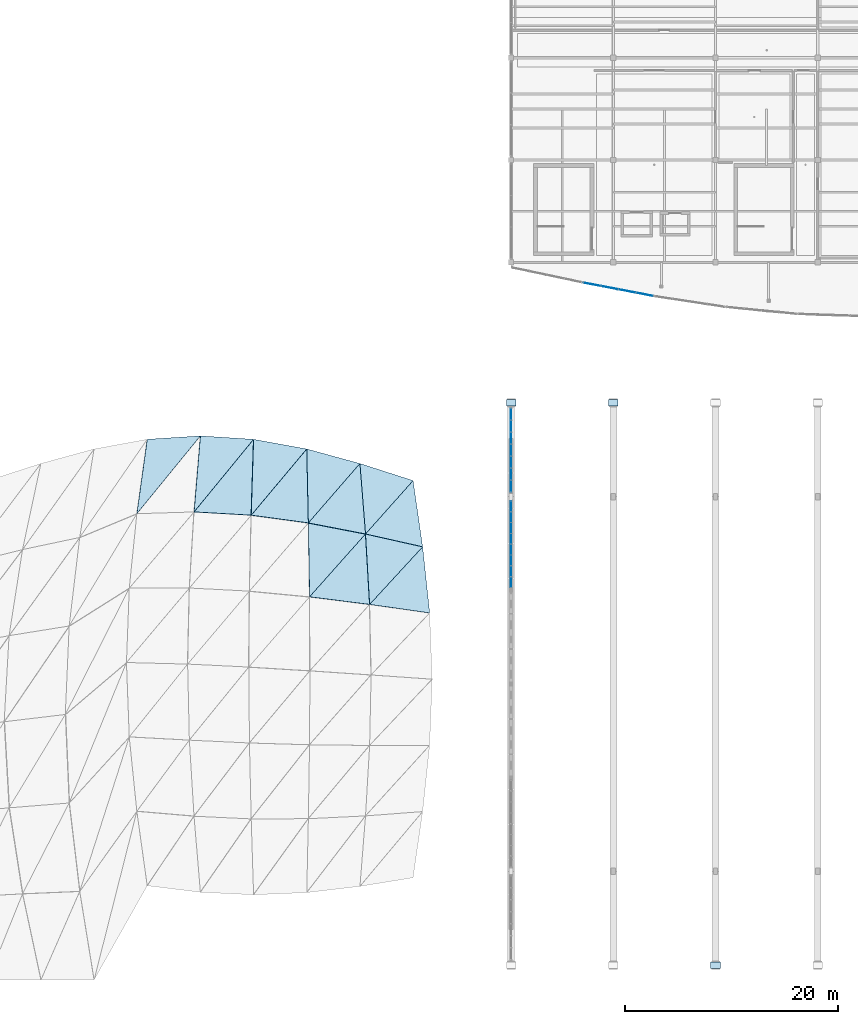
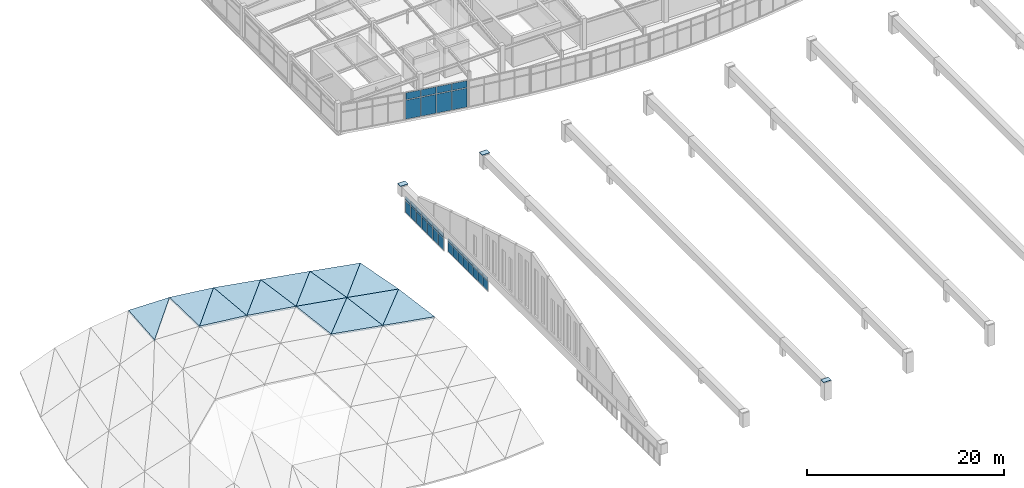
# One storey, part 52 of 65: 41 plates, 13 slabs, 3 elements without a shape of their own.
"""IFC4 building model written with IfcOpenShell, lengths in metres."""

from ifc_helpers import new_model, si_unit, direction, frame, origin, origin_2d, place, context, subcontext, project, spatial, polyline, rectangle, outline, extrude, material, layer, layer_set, type_object, element, aggregate, save


model = new_model("IFC4")

# Units and contexts
model_context = context("Model", 3, precision=1e-05, world=origin(), true_north=direction((0.0, 1.0)))
body_context = subcontext(model_context, "Body", "Model", "MODEL_VIEW")
ifc_project = project(units=[si_unit("LENGTHUNIT", "METRE"), si_unit("AREAUNIT", "SQUARE_METRE"), si_unit("VOLUMEUNIT", "CUBIC_METRE"), si_unit("PLANEANGLEUNIT", "RADIAN"), si_unit("MASSUNIT", "GRAM", prefix="KILO")], contexts=[model_context])

# Site, building, storey
site_placement = place(None, origin())
site = spatial("IfcSite", under=ifc_project, at=site_placement, CompositionType="ELEMENT")
building_placement = place(site_placement, origin())
building = spatial("IfcBuilding", under=site, at=building_placement, Name="Chalmorin Arch Market", CompositionType="ELEMENT")
storey_placement = place(building_placement, frame((0.0, 0.0, 14.10009765625)))
storey = spatial("IfcBuildingStorey", under=building, at=storey_placement, Name="L03", CompositionType="ELEMENT", Elevation=14.10009765625)

# Plates
ifc_material_1 = material(Name="Steel A572 Grade 50", Category="steel")
ifc_layer_1 = layer(ifc_material_1, 0.035888671875)
ifc_layer_set_1 = layer_set([ifc_layer_1], Name="Steel A572 Grade 50")
plate_type_1 = type_object("IfcPlateType", Name="ArchSpringBasePlate-900x600x36", PredefinedType="SHEET", material=ifc_layer_set_1)
for number, where, z_axis, x_axis, name in (
    (1, (48.0, 58.800048828125, 1.25), (0.0, 0.0, 1.0), (1.0, 0.0, 0.0), "GP-02-030"),
    (2, (57.60009765625, 58.800048828125, 1.7666015625), (0.0, 0.0, 1.0), (1.0, 0.0, 0.0), "GP-02-032"),
    (3, (67.199951171875, 6.0, 2.20458984375), (0.0, 0.0, 1.0), (1.0, 0.0, 0.0), "GP-02-033"),
):
    element("IfcPlate", number, at=place(storey_placement, frame(where, z_axis=z_axis, x_axis=x_axis)), inside=storey, type_object=plate_type_1, Name=name, PredefinedType="SHEET", context=body_context, shape_type="SweptSolid", body=[
        extrude(rectangle(XDim=0.89990234375, YDim=0.60009765625, at=origin_2d()), origin(), (0.0, 0.0, 1.0), 0.035888671875),
    ])

# Slabs
ifc_material_2 = material(Name="Concrete C40/50", Category="concrete")
ifc_layer_2 = layer(ifc_material_2, 0.2099609375)
ifc_layer_set_2 = layer_set([ifc_layer_2], Name="Concrete C40/50")
slab_type = type_object("IfcSlabType", Name="PavilionSlopedRoofSlab-210", PredefinedType="ROOF", material=ifc_layer_set_2)
slab_1_placement = place(storey_placement, frame((12.85595703125, 48.39208984375, 0.52197265625), z_axis=(0.058728531788, 0.120736515405, 0.990945837774), x_axis=(0.627164005088, 0.767839182147, -0.130722228718)))
element("IfcSlab", 4, at=slab_1_placement, inside=storey, type_object=slab_type, Name="RS-210-189", PredefinedType="ROOF", context=body_context, shape_type="SweptSolid", body=[
    extrude(outline(polyline([(0.0, 0.0), (9.517437372354802, -2.8449465006019636e-16), (6.095897384639608, 3.6669754285300002), (0.0, 0.0)])), origin(), (0.0, 0.0, -1.0), 0.2099609375),
])
slab_2_placement = place(storey_placement, frame((18.22509765625, 48.555908203125, 0.23583984375), z_axis=(0.075394408558, 0.127455654454, 0.988974589818), x_axis=(0.996027517582, -0.056751511051, -0.068618147839)))
element("IfcSlab", 5, at=slab_2_placement, inside=storey, type_object=slab_type, Name="RS-210-200", PredefinedType="ROOF", context=body_context, shape_type="SweptSolid", body=[
    extrude(outline(polyline([(0.0, 0.0), (5.390309393669161, 2.7755575615628914e-17), (5.274110228943413, 7.193647019605922), (0.0, 0.0)])), origin(), (0.0, 0.0, -1.0), 0.2099609375),
])
slab_3_placement = place(storey_placement, frame((18.22509765625, 48.555908203125, 0.23583984375), z_axis=(0.076982282971, 0.126162311176, 0.989018098594), x_axis=(0.627135708701, 0.765027285554, -0.14640374049)))
element("IfcSlab", 6, at=slab_3_placement, inside=storey, type_object=slab_type, Name="RS-210-201", PredefinedType="ROOF", context=body_context, shape_type="SweptSolid", body=[
    extrude(outline(polyline([(0.0, 0.0), (8.919910097626023, -4.0939474033052647e-16), (5.981833287072689, 4.066032916004759), (0.0, 0.0)])), origin(), (0.0, 0.0, -1.0), 0.2099609375),
])
slab_4_placement = place(storey_placement, frame((23.593994140625, 48.25, -0.134033203125), z_axis=(0.070981436479, 0.122681853338, 0.989904439094), x_axis=(0.989555434239, -0.133488944283, -0.054412722063)))
element("IfcSlab", 7, at=slab_4_placement, inside=storey, type_object=slab_type, Name="RS-210-212", PredefinedType="ROOF", context=body_context, shape_type="SweptSolid", body=[
    extrude(outline(polyline([(0.0, 0.0), (5.424577275959496, 6.938893903907228e-17), (4.395523957266454, 6.921429177662328), (0.0, 0.0)])), origin(), (0.0, 0.0, -1.0), 0.2099609375),
])
slab_5_placement = place(storey_placement, frame((23.593994140625, 48.25, -0.134033203125), z_axis=(0.064729645555, 0.127884243579, 0.989674539043), x_axis=(0.636406016931, 0.75860740623, -0.139650223151)))
element("IfcSlab", 8, at=slab_5_placement, inside=storey, type_object=slab_type, Name="RS-210-213", PredefinedType="ROOF", context=body_context, shape_type="SweptSolid", body=[
    extrude(outline(polyline([(0.0, 0.0), (8.199195858149675, -2.220446049250313e-16), (5.682752928398708, 4.4122985895499), (0.0, 0.0)])), origin(), (0.0, 0.0, -1.0), 0.2099609375),
])
slab_6_placement = place(storey_placement, frame((29.072021484375, 40.5810546875, 0.30078125), z_axis=(0.092370679418, 0.068237024462, 0.99338379596), x_axis=(0.988659677898, -0.12491889087, -0.083350536907)))
element("IfcSlab", 9, at=slab_6_placement, inside=storey, type_object=slab_type, Name="RS-210-222", PredefinedType="ROOF", context=body_context, shape_type="SweptSolid", body=[
    extrude(outline(polyline([(0.0, 0.0), (5.708782399977054, -3.469446951953614e-17), (4.536080389344517, 6.5402193590875575), (0.0, 0.0)])), origin(), (0.0, 0.0, -1.0), 0.2099609375),
])
slab_7_placement = place(storey_placement, frame((29.072021484375, 40.5810546875, 0.30078125), z_axis=(0.0508171859, 0.105197334984, 0.993152120438), x_axis=(0.66074046999, 0.742148260127, -0.11241882097)))
element("IfcSlab", 10, at=slab_7_placement, inside=storey, type_object=slab_type, Name="RS-210-223", PredefinedType="ROOF", context=body_context, shape_type="SweptSolid", body=[
    extrude(outline(polyline([(0.0, 0.0), (7.959302391766477, -2.1510571102112408e-16), (5.163400324782772, 4.702645600561257), (0.0, 0.0)])), origin(), (0.0, 0.0, -1.0), 0.2099609375),
])
slab_8_placement = place(storey_placement, frame((28.9619140625, 47.52587890625, -0.42919921875), z_axis=(0.047661746864, 0.088591234739, 0.994927108392), x_axis=(0.981380256969, -0.189698411803, -0.030121483878)))
element("IfcSlab", 11, at=slab_8_placement, inside=storey, type_object=slab_type, Name="RS-210-224", PredefinedType="ROOF", context=body_context, shape_type="SweptSolid", body=[
    extrude(outline(polyline([(0.0, 0.0), (5.471009414417225, 5.898059818321144e-17), (3.7170416834865287, 6.428646706564801), (0.0, 0.0)])), origin(), (0.0, 0.0, -1.0), 0.2099609375),
])
slab_9_placement = place(storey_placement, frame((28.9619140625, 47.52587890625, -0.42919921875), z_axis=(0.00918977862, 0.121669061544, 0.992528179666), x_axis=(0.652311268037, 0.751566734909, -0.098170528016)))
element("IfcSlab", 12, at=slab_9_placement, inside=storey, type_object=slab_type, Name="RS-210-225", PredefinedType="ROOF", context=body_context, shape_type="SweptSolid", body=[
    extrude(outline(polyline([(0.0, 0.0), (7.425893707467325, -2.7755575615628914e-16), (5.204595979114954, 4.677319027850145), (0.0, 0.0)])), origin(), (0.0, 0.0, -1.0), 0.2099609375),
])
slab_10_placement = place(storey_placement, frame((34.716064453125, 39.867919921875, -0.175048828125), z_axis=(0.076218759328, 0.024091969646, 0.996800018923), x_axis=(0.987496048054, -0.140179748785, -0.072119297759)))
element("IfcSlab", 13, at=slab_10_placement, inside=storey, type_object=slab_type, Name="RS-210-234", PredefinedType="ROOF", context=body_context, shape_type="SweptSolid", body=[
    extrude(outline(polyline([(0.0, 0.0), (5.714273263926225, -3.122502256758253e-17), (4.199412027421549, 6.065378759736103), (0.0, 0.0)])), origin(), (0.0, 0.0, -1.0), 0.2099609375),
])
slab_11_placement = place(storey_placement, frame((34.716064453125, 39.867919921875, -0.175048828125), z_axis=(0.031862905894, 0.064970830076, 0.997378336674), x_axis=(0.675574749373, 0.734018219903, -0.069397484542)))
element("IfcSlab", 14, at=slab_11_placement, inside=storey, type_object=slab_type, Name="RS-210-235", PredefinedType="ROOF", context=body_context, shape_type="SweptSolid", body=[
    extrude(outline(polyline([(0.0, 0.0), (7.377254291069994, -2.931682674400804e-16), (4.628257508445157, 4.767486938235519), (0.0, 0.0)])), origin(), (0.0, 0.0, -1.0), 0.2099609375),
])
slab_12_placement = place(storey_placement, frame((34.3310546875, 46.488037109375, -0.593994140625), z_axis=(0.026050308551, 0.038956837858, 0.9989012695), x_axis=(0.975584026527, -0.218975160517, -0.01690225611)))
element("IfcSlab", 15, at=slab_12_placement, inside=storey, type_object=slab_type, Name="RS-210-236", PredefinedType="ROOF", context=body_context, shape_type="SweptSolid", body=[
    extrude(outline(polyline([(0.0, 0.0), (5.5032640330196765, 1.5525775109992423e-16), (3.267657621734634, 5.874644297802171), (0.0, 0.0)])), origin(), (0.0, 0.0, -1.0), 0.2099609375),
])
slab_13_placement = place(storey_placement, frame((34.3310546875, 46.488037109375, -0.593994140625), z_axis=(-0.023586791985, 0.083052471143, 0.996266003777), x_axis=(0.664803452629, 0.74557498383, -0.046414575933)))
element("IfcSlab", 16, at=slab_13_placement, inside=storey, type_object=slab_type, Name="RS-210-237", PredefinedType="ROOF", context=body_context, shape_type="SweptSolid", body=[
    extrude(outline(polyline([(0.0, 0.0), (6.722278777213871, -2.5326962749261384e-16), (4.611951964112475, 4.8097609462105), (0.0, 0.0)])), origin(), (0.0, 0.0, -1.0), 0.2099609375),
])

# Curtain wall, plates
ifc_material_3 = material(Name="Aluminium 6063-T6", Category="aluminium")
ifc_layer_3 = layer(ifc_material_3, 0.159912109375)
ifc_layer_set_3 = layer_set([ifc_layer_3], Name="Aluminium 6063-T6")
curtain_wall_type_1 = type_object("IfcCurtainWallType", Name="GableTympanumCurtainWall-CW4-8130x1780", PredefinedType="NOTDEFINED", material=ifc_layer_set_3)
curtain_wall_1_placement = place(storey_placement, origin())
curtain_wall_1 = element("IfcCurtainWall", 17, at=curtain_wall_1_placement, inside=storey, type_object=curtain_wall_type_1, Name="CW-04-033", PredefinedType="NOTDEFINED")
ifc_material_4 = material(Name="Powder-coated Aluminium Panel", Category="aluminium")
ifc_layer_4 = layer(ifc_material_4, 0.0400390625)
ifc_layer_set_4 = layer_set([ifc_layer_4], Name="Powder-coated Aluminium Panel")
plate_type_2 = type_object("IfcPlateType", Name="ShadowboxSpandrelPanel-40", PredefinedType="CURTAIN_PANEL", material=ifc_layer_set_4)
plate_1_placement = place(storey_placement, frame((48.0, 41.970458984375, -0.269775390625), z_axis=(0.0, 0.0, 1.0), x_axis=(0.0, 1.0, 0.0)))
plate_1 = element("IfcPlate", 18, at=plate_1_placement, type_object=plate_type_2, Name="SP-40-033-01B", PredefinedType="CURTAIN_PANEL", context=body_context, shape_type="SweptSolid", body=[
    extrude(rectangle(XDim=0.935791015625, YDim=0.0400390625, at=origin_2d()), origin(), (0.0, 0.0, 1.0), 0.384765625),
])
plate_2_placement = place(storey_placement, frame((48.0, 42.986328125, -0.269775390625), z_axis=(0.0, 0.0, 1.0), x_axis=(0.0, 1.0, 0.0)))
plate_2 = element("IfcPlate", 19, at=plate_2_placement, type_object=plate_type_2, Name="SP-40-033-02B", PredefinedType="CURTAIN_PANEL", context=body_context, shape_type="SweptSolid", body=[
    extrude(rectangle(XDim=0.935791015625, YDim=0.0400390625, at=origin_2d()), origin(), (0.0, 0.0, 1.0), 0.384765625),
])
plate_3_placement = place(storey_placement, frame((48.0, 44.002197265625, -0.269775390625), z_axis=(0.0, 0.0, 1.0), x_axis=(0.0, 1.0, 0.0)))
plate_3 = element("IfcPlate", 20, at=plate_3_placement, type_object=plate_type_2, Name="SP-40-033-03B", PredefinedType="CURTAIN_PANEL", context=body_context, shape_type="SweptSolid", body=[
    extrude(rectangle(XDim=0.935791015625, YDim=0.0400390625, at=origin_2d()), origin(), (0.0, 0.0, 1.0), 0.384765625),
])
plate_4_placement = place(storey_placement, frame((48.0, 45.018310546875, -0.269775390625), z_axis=(0.0, 0.0, 1.0), x_axis=(0.0, 1.0, 0.0)))
plate_4 = element("IfcPlate", 21, at=plate_4_placement, type_object=plate_type_2, Name="SP-40-033-04B", PredefinedType="CURTAIN_PANEL", context=body_context, shape_type="SweptSolid", body=[
    extrude(rectangle(XDim=0.935791015625, YDim=0.0400390625, at=origin_2d()), origin(), (0.0, 0.0, 1.0), 0.384765625),
])
plate_5_placement = place(storey_placement, frame((48.0, 46.0341796875, -0.269775390625), z_axis=(0.0, 0.0, 1.0), x_axis=(0.0, 1.0, 0.0)))
plate_5 = element("IfcPlate", 22, at=plate_5_placement, type_object=plate_type_2, Name="SP-40-033-05B", PredefinedType="CURTAIN_PANEL", context=body_context, shape_type="SweptSolid", body=[
    extrude(rectangle(XDim=0.935791015625, YDim=0.0400390625, at=origin_2d()), origin(), (0.0, 0.0, 1.0), 0.384765625),
])
plate_6_placement = place(storey_placement, frame((48.0, 47.050048828125, -0.269775390625), z_axis=(0.0, 0.0, 1.0), x_axis=(0.0, 1.0, 0.0)))
plate_6 = element("IfcPlate", 23, at=plate_6_placement, type_object=plate_type_2, Name="SP-40-033-06B", PredefinedType="CURTAIN_PANEL", context=body_context, shape_type="SweptSolid", body=[
    extrude(rectangle(XDim=0.935791015625, YDim=0.0400390625, at=origin_2d()), origin(), (0.0, 0.0, 1.0), 0.384765625),
])
plate_7_placement = place(storey_placement, frame((48.0, 48.066162109375, -0.269775390625), z_axis=(0.0, 0.0, 1.0), x_axis=(0.0, 1.0, 0.0)))
plate_7 = element("IfcPlate", 24, at=plate_7_placement, type_object=plate_type_2, Name="SP-40-033-07B", PredefinedType="CURTAIN_PANEL", context=body_context, shape_type="SweptSolid", body=[
    extrude(rectangle(XDim=0.935791015625, YDim=0.0400390625, at=origin_2d()), origin(), (0.0, 0.0, 1.0), 0.384765625),
])
plate_8_placement = place(storey_placement, frame((48.0, 49.08203125, -0.269775390625), z_axis=(0.0, 0.0, 1.0), x_axis=(0.0, 1.0, 0.0)))
plate_8 = element("IfcPlate", 25, at=plate_8_placement, type_object=plate_type_2, Name="SP-40-033-08B", PredefinedType="CURTAIN_PANEL", context=body_context, shape_type="SweptSolid", body=[
    extrude(rectangle(XDim=0.935791015625, YDim=0.0400390625, at=origin_2d()), origin(), (0.0, 0.0, 1.0), 0.384765625),
])

ifc_layer_5 = layer(ifc_material_3, 0.159912109375)
ifc_layer_set_5 = layer_set([ifc_layer_5], Name="Aluminium 6063-T6")
curtain_wall_type_2 = type_object("IfcCurtainWallType", Name="GableTympanumCurtainWall-CW4-7880x2180", PredefinedType="NOTDEFINED", material=ifc_layer_set_5)
curtain_wall_2_placement = place(storey_placement, origin())
curtain_wall_2 = element("IfcCurtainWall", 26, at=curtain_wall_2_placement, inside=storey, type_object=curtain_wall_type_2, Name="CW-04-036", PredefinedType="NOTDEFINED")
plate_9_placement = place(storey_placement, frame((48.0, 50.972900390625, -0.3818359375), z_axis=(0.0, 0.0, 1.0), x_axis=(0.0, 1.0, 0.0)))
plate_9 = element("IfcPlate", 27, at=plate_9_placement, type_object=plate_type_2, Name="SP-40-036-01B", PredefinedType="CURTAIN_PANEL", context=body_context, shape_type="SweptSolid", body=[
    extrude(rectangle(XDim=1.045654296875, YDim=0.0400390625, at=origin_2d()), origin(), (0.0, 0.0, 1.0), 0.496826171875),
])
plate_10_placement = place(storey_placement, frame((48.0, 52.0986328125, -0.3818359375), z_axis=(0.0, 0.0, 1.0), x_axis=(0.0, 1.0, 0.0)))
plate_10 = element("IfcPlate", 28, at=plate_10_placement, type_object=plate_type_2, Name="SP-40-036-02B", PredefinedType="CURTAIN_PANEL", context=body_context, shape_type="SweptSolid", body=[
    extrude(rectangle(XDim=1.045654296875, YDim=0.0400390625, at=origin_2d()), origin(), (0.0, 0.0, 1.0), 0.496826171875),
])
plate_11_placement = place(storey_placement, frame((48.0, 53.224365234375, -0.3818359375), z_axis=(0.0, 0.0, 1.0), x_axis=(0.0, 1.0, 0.0)))
plate_11 = element("IfcPlate", 29, at=plate_11_placement, type_object=plate_type_2, Name="SP-40-036-03B", PredefinedType="CURTAIN_PANEL", context=body_context, shape_type="SweptSolid", body=[
    extrude(rectangle(XDim=1.045654296875, YDim=0.0400390625, at=origin_2d()), origin(), (0.0, 0.0, 1.0), 0.496826171875),
])
plate_12_placement = place(storey_placement, frame((48.0, 54.35009765625, -0.3818359375), z_axis=(0.0, 0.0, 1.0), x_axis=(0.0, 1.0, 0.0)))
plate_12 = element("IfcPlate", 30, at=plate_12_placement, type_object=plate_type_2, Name="SP-40-036-04B", PredefinedType="CURTAIN_PANEL", context=body_context, shape_type="SweptSolid", body=[
    extrude(rectangle(XDim=1.045654296875, YDim=0.0400390625, at=origin_2d()), origin(), (0.0, 0.0, 1.0), 0.496826171875),
])
plate_13_placement = place(storey_placement, frame((48.0, 55.4755859375, -0.3818359375), z_axis=(0.0, 0.0, 1.0), x_axis=(0.0, 1.0, 0.0)))
plate_13 = element("IfcPlate", 31, at=plate_13_placement, type_object=plate_type_2, Name="SP-40-036-05B", PredefinedType="CURTAIN_PANEL", context=body_context, shape_type="SweptSolid", body=[
    extrude(rectangle(XDim=1.045654296875, YDim=0.0400390625, at=origin_2d()), origin(), (0.0, 0.0, 1.0), 0.496826171875),
])
plate_14_placement = place(storey_placement, frame((48.0, 56.601318359375, -0.3818359375), z_axis=(0.0, 0.0, 1.0), x_axis=(0.0, 1.0, 0.0)))
plate_14 = element("IfcPlate", 32, at=plate_14_placement, type_object=plate_type_2, Name="SP-40-036-06B", PredefinedType="CURTAIN_PANEL", context=body_context, shape_type="SweptSolid", body=[
    extrude(rectangle(XDim=1.045654296875, YDim=0.0400390625, at=origin_2d()), origin(), (0.0, 0.0, 1.0), 0.496826171875),
])
plate_15_placement = place(storey_placement, frame((48.0, 57.72705078125, -0.3818359375), z_axis=(0.0, 0.0, 1.0), x_axis=(0.0, 1.0, 0.0)))
plate_15 = element("IfcPlate", 33, at=plate_15_placement, type_object=plate_type_2, Name="SP-40-036-07B", PredefinedType="CURTAIN_PANEL", context=body_context, shape_type="SweptSolid", body=[
    extrude(rectangle(XDim=1.045654296875, YDim=0.0400390625, at=origin_2d()), origin(), (0.0, 0.0, 1.0), 0.496826171875),
])

ifc_layer_6 = layer(ifc_material_3, 0.159912109375)
ifc_layer_set_6 = layer_set([ifc_layer_6], Name="Aluminium 6063-T6")
curtain_wall_type_3 = type_object("IfcCurtainWallType", Name="CulinaryStudioCurtainWall-CW3-6660x3420", PredefinedType="NOTDEFINED", material=ifc_layer_set_6)
curtain_wall_3_placement = place(storey_placement, origin())
curtain_wall_3 = element("IfcCurtainWall", 34, at=curtain_wall_3_placement, inside=storey, type_object=curtain_wall_type_3, Name="CW-03-155", PredefinedType="NOTDEFINED")
plate_16_placement = place(storey_placement, frame((55.626220703125, 69.926025390625, 2.48779296875), z_axis=(0.0, 0.0, 1.0), x_axis=(0.981627183448, -0.190808995377, 0.0)))
plate_16 = element("IfcPlate", 35, at=plate_16_placement, type_object=plate_type_2, Name="SP-40-155-01B", PredefinedType="CURTAIN_PANEL", context=body_context, shape_type="SweptSolid", body=[
    extrude(rectangle(XDim=1.58544921875, YDim=0.0400390625, at=origin_2d()), origin(), (0.0, 0.0, 1.0), 0.843017578125),
])
plate_17_placement = place(storey_placement, frame((57.26220703125, 69.613525390625, 2.48779296875), z_axis=(0.0, 0.0, 1.0), x_axis=(0.981627183448, -0.190808995377, 0.0)))
plate_17 = element("IfcPlate", 36, at=plate_17_placement, type_object=plate_type_2, Name="SP-40-155-02B", PredefinedType="CURTAIN_PANEL", context=body_context, shape_type="SweptSolid", body=[
    extrude(rectangle(XDim=1.58544921875, YDim=0.0400390625, at=origin_2d()), origin(), (0.0, 0.0, 1.0), 0.843017578125),
])
plate_18_placement = place(storey_placement, frame((58.89794921875, 69.30126953125, 2.48779296875), z_axis=(0.0, 0.0, 1.0), x_axis=(0.981627183448, -0.190808995377, 0.0)))
plate_18 = element("IfcPlate", 37, at=plate_18_placement, type_object=plate_type_2, Name="SP-40-155-03B", PredefinedType="CURTAIN_PANEL", context=body_context, shape_type="SweptSolid", body=[
    extrude(rectangle(XDim=1.58544921875, YDim=0.0400390625, at=origin_2d()), origin(), (0.0, 0.0, 1.0), 0.843017578125),
])
plate_19_placement = place(storey_placement, frame((60.53369140625, 68.989013671875, 2.48779296875), z_axis=(0.0, 0.0, 1.0), x_axis=(0.981627183448, -0.190808995377, 0.0)))
plate_19 = element("IfcPlate", 38, at=plate_19_placement, type_object=plate_type_2, Name="SP-40-155-04B", PredefinedType="CURTAIN_PANEL", context=body_context, shape_type="SweptSolid", body=[
    extrude(rectangle(XDim=1.58544921875, YDim=0.0400390625, at=origin_2d()), origin(), (0.0, 0.0, 1.0), 0.843017578125),
])

# Plate
ifc_material_5 = material(Name="Laminated Acoustic Glass", Category="glass")
ifc_layer_7 = layer(ifc_material_5, 0.031982421875)
ifc_layer_set_7 = layer_set([ifc_layer_7], Name="Laminated Acoustic Glass")
plate_type_3 = type_object("IfcPlateType", Name="TintedClerestoryGlass-32", PredefinedType="CURTAIN_PANEL", material=ifc_layer_set_7)
plate_20_placement = place(storey_placement, frame((48.0, 41.970458984375, -1.5302734375), z_axis=(0.0, 0.0, 1.0), x_axis=(0.0, 1.0, 0.0)))
plate_20 = element("IfcPlate", 39, at=plate_20_placement, type_object=plate_type_3, Name="GL-32-033-01A", PredefinedType="CURTAIN_PANEL", context=body_context, shape_type="SweptSolid", body=[
    extrude(rectangle(XDim=0.935791015625, YDim=0.031982421875, at=origin_2d()), origin(), (0.0, 0.0, 1.0), 1.170166015625),
])

plate_21_placement = place(storey_placement, frame((48.0, 42.986328125, -1.5302734375), z_axis=(0.0, 0.0, 1.0), x_axis=(0.0, 1.0, 0.0)))
plate_21 = element("IfcPlate", 40, at=plate_21_placement, type_object=plate_type_3, Name="GL-32-033-02A", PredefinedType="CURTAIN_PANEL", context=body_context, shape_type="SweptSolid", body=[
    extrude(rectangle(XDim=0.935791015625, YDim=0.031982421875, at=origin_2d()), origin(), (0.0, 0.0, 1.0), 1.170166015625),
])

plate_22_placement = place(storey_placement, frame((48.0, 44.002197265625, -1.5302734375), z_axis=(0.0, 0.0, 1.0), x_axis=(0.0, 1.0, 0.0)))
plate_22 = element("IfcPlate", 41, at=plate_22_placement, type_object=plate_type_3, Name="GL-32-033-03A", PredefinedType="CURTAIN_PANEL", context=body_context, shape_type="SweptSolid", body=[
    extrude(rectangle(XDim=0.935791015625, YDim=0.031982421875, at=origin_2d()), origin(), (0.0, 0.0, 1.0), 1.170166015625),
])

plate_23_placement = place(storey_placement, frame((48.0, 45.018310546875, -1.5302734375), z_axis=(0.0, 0.0, 1.0), x_axis=(0.0, 1.0, 0.0)))
plate_23 = element("IfcPlate", 42, at=plate_23_placement, type_object=plate_type_3, Name="GL-32-033-04A", PredefinedType="CURTAIN_PANEL", context=body_context, shape_type="SweptSolid", body=[
    extrude(rectangle(XDim=0.935791015625, YDim=0.031982421875, at=origin_2d()), origin(), (0.0, 0.0, 1.0), 1.170166015625),
])

plate_24_placement = place(storey_placement, frame((48.0, 46.0341796875, -1.5302734375), z_axis=(0.0, 0.0, 1.0), x_axis=(0.0, 1.0, 0.0)))
plate_24 = element("IfcPlate", 43, at=plate_24_placement, type_object=plate_type_3, Name="GL-32-033-05A", PredefinedType="CURTAIN_PANEL", context=body_context, shape_type="SweptSolid", body=[
    extrude(rectangle(XDim=0.935791015625, YDim=0.031982421875, at=origin_2d()), origin(), (0.0, 0.0, 1.0), 1.170166015625),
])

plate_25_placement = place(storey_placement, frame((48.0, 47.050048828125, -1.5302734375), z_axis=(0.0, 0.0, 1.0), x_axis=(0.0, 1.0, 0.0)))
plate_25 = element("IfcPlate", 44, at=plate_25_placement, type_object=plate_type_3, Name="GL-32-033-06A", PredefinedType="CURTAIN_PANEL", context=body_context, shape_type="SweptSolid", body=[
    extrude(rectangle(XDim=0.935791015625, YDim=0.031982421875, at=origin_2d()), origin(), (0.0, 0.0, 1.0), 1.170166015625),
])

plate_26_placement = place(storey_placement, frame((48.0, 48.066162109375, -1.5302734375), z_axis=(0.0, 0.0, 1.0), x_axis=(0.0, 1.0, 0.0)))
plate_26 = element("IfcPlate", 45, at=plate_26_placement, type_object=plate_type_3, Name="GL-32-033-07A", PredefinedType="CURTAIN_PANEL", context=body_context, shape_type="SweptSolid", body=[
    extrude(rectangle(XDim=0.935791015625, YDim=0.031982421875, at=origin_2d()), origin(), (0.0, 0.0, 1.0), 1.170166015625),
])

plate_27_placement = place(storey_placement, frame((48.0, 49.08203125, -1.5302734375), z_axis=(0.0, 0.0, 1.0), x_axis=(0.0, 1.0, 0.0)))
plate_27 = element("IfcPlate", 46, at=plate_27_placement, type_object=plate_type_3, Name="GL-32-033-08A", PredefinedType="CURTAIN_PANEL", context=body_context, shape_type="SweptSolid", body=[
    extrude(rectangle(XDim=0.935791015625, YDim=0.031982421875, at=origin_2d()), origin(), (0.0, 0.0, 1.0), 1.170166015625),
])

aggregate(curtain_wall_1, [plate_20, plate_1, plate_21, plate_2, plate_22, plate_3, plate_23, plate_4, plate_24, plate_5, plate_25, plate_6, plate_26, plate_7, plate_27, plate_8])

plate_28_placement = place(storey_placement, frame((48.0, 50.972900390625, -1.93017578125), z_axis=(0.0, 0.0, 1.0), x_axis=(0.0, 1.0, 0.0)))
plate_28 = element("IfcPlate", 47, at=plate_28_placement, type_object=plate_type_3, Name="GL-32-036-01A", PredefinedType="CURTAIN_PANEL", context=body_context, shape_type="SweptSolid", body=[
    extrude(rectangle(XDim=1.045654296875, YDim=0.031982421875, at=origin_2d()), origin(), (0.0, 0.0, 1.0), 1.458251953125),
])

plate_29_placement = place(storey_placement, frame((48.0, 52.0986328125, -1.93017578125), z_axis=(0.0, 0.0, 1.0), x_axis=(0.0, 1.0, 0.0)))
plate_29 = element("IfcPlate", 48, at=plate_29_placement, type_object=plate_type_3, Name="GL-32-036-02A", PredefinedType="CURTAIN_PANEL", context=body_context, shape_type="SweptSolid", body=[
    extrude(rectangle(XDim=1.045654296875, YDim=0.031982421875, at=origin_2d()), origin(), (0.0, 0.0, 1.0), 1.458251953125),
])

plate_30_placement = place(storey_placement, frame((48.0, 53.224365234375, -1.93017578125), z_axis=(0.0, 0.0, 1.0), x_axis=(0.0, 1.0, 0.0)))
plate_30 = element("IfcPlate", 49, at=plate_30_placement, type_object=plate_type_3, Name="GL-32-036-03A", PredefinedType="CURTAIN_PANEL", context=body_context, shape_type="SweptSolid", body=[
    extrude(rectangle(XDim=1.045654296875, YDim=0.031982421875, at=origin_2d()), origin(), (0.0, 0.0, 1.0), 1.458251953125),
])

plate_31_placement = place(storey_placement, frame((48.0, 54.35009765625, -1.93017578125), z_axis=(0.0, 0.0, 1.0), x_axis=(0.0, 1.0, 0.0)))
plate_31 = element("IfcPlate", 50, at=plate_31_placement, type_object=plate_type_3, Name="GL-32-036-04A", PredefinedType="CURTAIN_PANEL", context=body_context, shape_type="SweptSolid", body=[
    extrude(rectangle(XDim=1.045654296875, YDim=0.031982421875, at=origin_2d()), origin(), (0.0, 0.0, 1.0), 1.458251953125),
])

plate_32_placement = place(storey_placement, frame((48.0, 55.4755859375, -1.93017578125), z_axis=(0.0, 0.0, 1.0), x_axis=(0.0, 1.0, 0.0)))
plate_32 = element("IfcPlate", 51, at=plate_32_placement, type_object=plate_type_3, Name="GL-32-036-05A", PredefinedType="CURTAIN_PANEL", context=body_context, shape_type="SweptSolid", body=[
    extrude(rectangle(XDim=1.045654296875, YDim=0.031982421875, at=origin_2d()), origin(), (0.0, 0.0, 1.0), 1.458251953125),
])

plate_33_placement = place(storey_placement, frame((48.0, 56.601318359375, -1.93017578125), z_axis=(0.0, 0.0, 1.0), x_axis=(0.0, 1.0, 0.0)))
plate_33 = element("IfcPlate", 52, at=plate_33_placement, type_object=plate_type_3, Name="GL-32-036-06A", PredefinedType="CURTAIN_PANEL", context=body_context, shape_type="SweptSolid", body=[
    extrude(rectangle(XDim=1.045654296875, YDim=0.031982421875, at=origin_2d()), origin(), (0.0, 0.0, 1.0), 1.458251953125),
])

plate_34_placement = place(storey_placement, frame((48.0, 57.72705078125, -1.93017578125), z_axis=(0.0, 0.0, 1.0), x_axis=(0.0, 1.0, 0.0)))
plate_34 = element("IfcPlate", 53, at=plate_34_placement, type_object=plate_type_3, Name="GL-32-036-07A", PredefinedType="CURTAIN_PANEL", context=body_context, shape_type="SweptSolid", body=[
    extrude(rectangle(XDim=1.045654296875, YDim=0.031982421875, at=origin_2d()), origin(), (0.0, 0.0, 1.0), 1.458251953125),
])

aggregate(curtain_wall_2, [plate_28, plate_9, plate_29, plate_10, plate_30, plate_11, plate_31, plate_12, plate_32, plate_13, plate_33, plate_14, plate_34, plate_15])

ifc_material_6 = material(Name="Low-E Tempered Glass", Category="glass")
ifc_layer_8 = layer(ifc_material_6, 0.028076171875)
ifc_layer_set_8 = layer_set([ifc_layer_8], Name="Low-E Tempered Glass")
plate_type_4 = type_object("IfcPlateType", Name="VisionIGUPanel-28", PredefinedType="CURTAIN_PANEL", material=ifc_layer_set_8)
plate_35_placement = place(storey_placement, frame((55.626220703125, 69.926025390625, 0.0498046875), z_axis=(0.0, 0.0, 1.0), x_axis=(0.981627183448, -0.190808995377, 0.0)))
plate_35 = element("IfcPlate", 54, at=plate_35_placement, type_object=plate_type_4, Name="GL-28-155-01A", PredefinedType="CURTAIN_PANEL", context=body_context, shape_type="SweptSolid", body=[
    extrude(rectangle(XDim=1.58544921875, YDim=0.028076171875, at=origin_2d()), origin(), (0.0, 0.0, 1.0), 2.34814453125),
])

plate_36_placement = place(storey_placement, frame((57.26220703125, 69.613525390625, 0.0498046875), z_axis=(0.0, 0.0, 1.0), x_axis=(0.981627183448, -0.190808995377, 0.0)))
plate_36 = element("IfcPlate", 55, at=plate_36_placement, type_object=plate_type_4, Name="GL-28-155-02A", PredefinedType="CURTAIN_PANEL", context=body_context, shape_type="SweptSolid", body=[
    extrude(rectangle(XDim=1.58544921875, YDim=0.028076171875, at=origin_2d()), origin(), (0.0, 0.0, 1.0), 2.34814453125),
])

plate_37_placement = place(storey_placement, frame((58.89794921875, 69.30126953125, 0.0498046875), z_axis=(0.0, 0.0, 1.0), x_axis=(0.981627183448, -0.190808995377, 0.0)))
plate_37 = element("IfcPlate", 56, at=plate_37_placement, type_object=plate_type_4, Name="GL-28-155-03A", PredefinedType="CURTAIN_PANEL", context=body_context, shape_type="SweptSolid", body=[
    extrude(rectangle(XDim=1.58544921875, YDim=0.028076171875, at=origin_2d()), origin(), (0.0, 0.0, 1.0), 2.34814453125),
])

plate_38_placement = place(storey_placement, frame((60.53369140625, 68.989013671875, 0.0498046875), z_axis=(0.0, 0.0, 1.0), x_axis=(0.981627183448, -0.190808995377, 0.0)))
plate_38 = element("IfcPlate", 57, at=plate_38_placement, type_object=plate_type_4, Name="GL-28-155-04A", PredefinedType="CURTAIN_PANEL", context=body_context, shape_type="SweptSolid", body=[
    extrude(rectangle(XDim=1.58544921875, YDim=0.028076171875, at=origin_2d()), origin(), (0.0, 0.0, 1.0), 2.34814453125),
])

aggregate(curtain_wall_3, [plate_35, plate_16, plate_36, plate_17, plate_37, plate_18, plate_38, plate_19])

save(model, "model.ifc")
